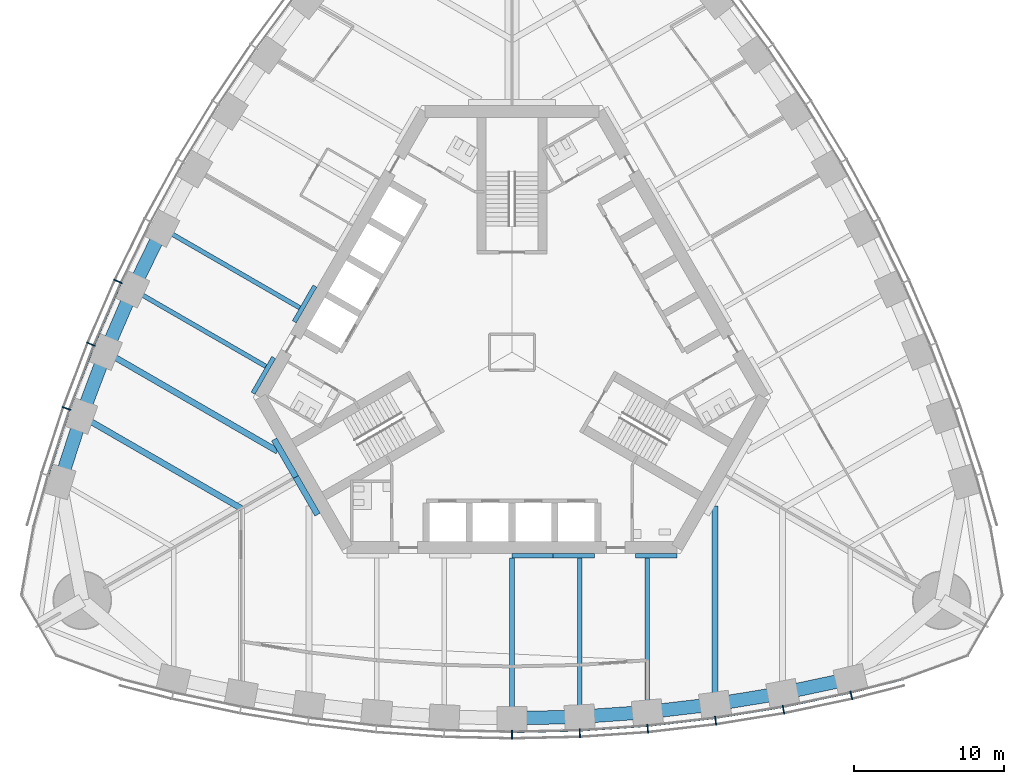
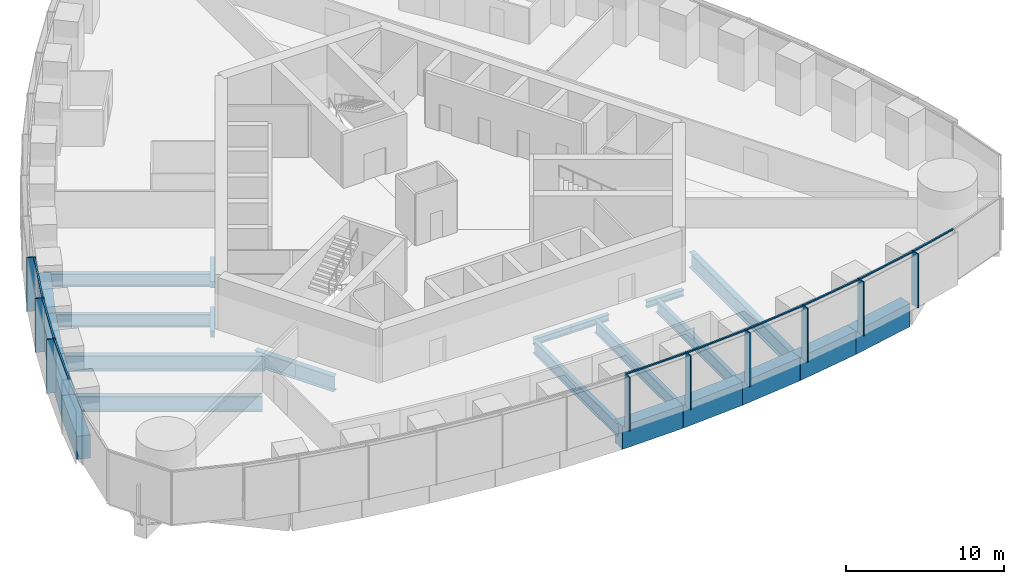
# One storey, part 3 of 18: 24 beams, 18 members, 2 elements without a shape of their own.
"""IFC4 building model written with IfcOpenShell, lengths in metres."""

from ifc_helpers import new_model, si_unit, direction, frame, origin, origin_2d, place, context, subcontext, project, spatial, rectangle, i_section, extrude, material, material_profile, profile_set, type_object, element, aggregate, save


model = new_model("IFC4")

# Units and contexts
model_context = context("Model", 3, precision=1e-05, world=origin(), true_north=direction((0.0, 1.0)))
body_context = subcontext(model_context, "Body", "Model", "MODEL_VIEW")
ifc_project = project(units=[si_unit("LENGTHUNIT", "METRE"), si_unit("AREAUNIT", "SQUARE_METRE"), si_unit("VOLUMEUNIT", "CUBIC_METRE"), si_unit("PLANEANGLEUNIT", "RADIAN"), si_unit("MASSUNIT", "GRAM", prefix="KILO")], contexts=[model_context])

# Site, building, storey
site_placement = place(None, origin())
site = spatial("IfcSite", under=ifc_project, at=site_placement, CompositionType="ELEMENT")
building_placement = place(site_placement, origin())
building = spatial("IfcBuilding", under=site, at=building_placement, Name="Trefoil Bronze Tower", CompositionType="ELEMENT")
storey_placement = place(building_placement, frame((0.0, 0.0, 198.10009765625)))
storey = spatial("IfcBuildingStorey", under=building, at=storey_placement, Name="L45", CompositionType="ELEMENT", Elevation=198.10009765625)

# Curtain wall, members
ifc_material_1 = material(Name="Tinted solar-control glass", Category="glass")
curtain_wall_type = type_object("IfcCurtainWallType", Name="Bronze office curtain wall", PredefinedType="USERDEFINED", material=ifc_material_1)
curtain_wall_1_placement = place(storey_placement, origin())
curtain_wall_1 = element("IfcCurtainWall", 1, at=curtain_wall_1_placement, inside=storey, type_object=curtain_wall_type, Name="CW-A L45 F1", ObjectType="CURTAIN WALL", PredefinedType="USERDEFINED")
ifc_material_2 = material(Name="Bronze-finish aluminium", Category="aluminium")
ifc_material_profile_1 = material_profile(ifc_material_2, rectangle(XDim=0.60009765625, YDim=0.080078125, at=origin_2d()), Name="CW-A mullion")
ifc_profile_set_1 = profile_set([ifc_material_profile_1], Name="Bronze-finish aluminium")
member_type_1 = type_object("IfcMemberType", Name="Bronze office curtain wall mullion", PredefinedType="MULLION", material=ifc_profile_set_1)
member_1_placement = place(storey_placement, frame((0.0, -25.45068359375, 0.0), z_axis=(0.0, 0.0, 1.0), x_axis=(0.0, 1.0, 0.0)))
member_1 = element("IfcMember", 2, at=member_1_placement, type_object=member_type_1, Name="CW-A L45 F1 mullion 7", PredefinedType="MULLION", context=body_context, shape_type="SweptSolid", body=[
    extrude(rectangle(XDim=0.60009765625, YDim=0.080078125, at=origin_2d()), origin(), (0.0, 0.0, 1.0), 4.179931640625),
])
member_2_placement = place(storey_placement, frame((4.513671875, -25.346923828125, 0.0), z_axis=(0.0, 0.0, 1.0), x_axis=(-0.045955542372, 0.998943485952, 0.0)))
member_2 = element("IfcMember", 3, at=member_2_placement, type_object=member_type_1, Name="CW-A L45 F1 mullion 8", PredefinedType="MULLION", context=body_context, shape_type="SweptSolid", body=[
    extrude(rectangle(XDim=0.60009765625, YDim=0.080078125, at=origin_2d()), origin(), (0.0, 0.0, 1.0), 4.179931640625),
])
member_3_placement = place(storey_placement, frame((9.027587890625, -25.03515625, 0.0), z_axis=(0.0, 0.0, 1.0), x_axis=(-0.091911396394, 0.995767189263, 0.0)))
member_3 = element("IfcMember", 4, at=member_3_placement, type_object=member_type_1, Name="CW-A L45 F1 mullion 9", PredefinedType="MULLION", context=body_context, shape_type="SweptSolid", body=[
    extrude(rectangle(XDim=0.60009765625, YDim=0.080078125, at=origin_2d()), origin(), (0.0, 0.0, 1.0), 4.179931640625),
])
member_4_placement = place(storey_placement, frame((13.541259765625, -24.51318359375, 0.0), z_axis=(0.0, 0.0, 1.0), x_axis=(-0.137867887204, 0.990450627582, 0.0)))
member_4 = element("IfcMember", 5, at=member_4_placement, type_object=member_type_1, Name="CW-A L45 F1 mullion 10", PredefinedType="MULLION", context=body_context, shape_type="SweptSolid", body=[
    extrude(rectangle(XDim=0.60009765625, YDim=0.080078125, at=origin_2d()), origin(), (0.0, 0.0, 1.0), 4.179931640625),
])
member_5_placement = place(storey_placement, frame((18.05517578125, -23.77783203125, 0.0), z_axis=(0.0, 0.0, 1.0), x_axis=(-0.183825368167, 0.982958917767, 0.0)))
member_5 = element("IfcMember", 6, at=member_5_placement, type_object=member_type_1, Name="CW-A L45 F1 mullion 11", PredefinedType="MULLION", context=body_context, shape_type="SweptSolid", body=[
    extrude(rectangle(XDim=0.60009765625, YDim=0.080078125, at=origin_2d()), origin(), (0.0, 0.0, 1.0), 4.179931640625),
])
member_6_placement = place(storey_placement, frame((22.568115234375, -22.82421875, 0.0), z_axis=(0.0, 0.0, 1.0), x_axis=(-0.227082662569, 0.973875487093, 0.0)))
member_6 = element("IfcMember", 7, at=member_6_placement, type_object=member_type_1, Name="CW-A L45 F1 mullion 12", PredefinedType="MULLION", context=body_context, shape_type="SweptSolid", body=[
    extrude(rectangle(XDim=0.60009765625, YDim=0.080078125, at=origin_2d()), origin(), (0.0, 0.0, 1.0), 4.179931640625),
])

curtain_wall_2_placement = place(storey_placement, origin())
curtain_wall_2 = element("IfcCurtainWall", 8, at=curtain_wall_2_placement, inside=storey, type_object=curtain_wall_type, Name="CW-A L45 F3", ObjectType="CURTAIN WALL", PredefinedType="USERDEFINED")
member_7_placement = place(storey_placement, frame((-26.19482421875, 4.699462890625, 0.0), z_axis=(0.0, 0.0, 1.0), x_axis=(0.908315380354, -0.418285990457, 0.0)))
member_7 = element("IfcMember", 9, at=member_7_placement, type_object=member_type_1, Name="CW-A L45 F3 mullion 9", PredefinedType="MULLION", context=body_context, shape_type="SweptSolid", body=[
    extrude(rectangle(XDim=0.60009765625, YDim=0.080078125, at=origin_2d()), origin(), (0.0, 0.0, 1.0), 4.179931640625),
])
member_8_placement = place(storey_placement, frame((-27.999755859375, 0.529541015625, 0.0), z_axis=(0.0, 0.0, 1.0), x_axis=(0.926689348282, -0.375828221106, 0.0)))
member_8 = element("IfcMember", 10, at=member_8_placement, type_object=member_type_1, Name="CW-A L45 F3 mullion 10", PredefinedType="MULLION", context=body_context, shape_type="SweptSolid", body=[
    extrude(rectangle(XDim=0.60009765625, YDim=0.080078125, at=origin_2d()), origin(), (0.0, 0.0, 1.0), 4.179931640625),
])
member_9_placement = place(storey_placement, frame((-29.619873046875, -3.747314453125, 0.0), z_axis=(0.0, 0.0, 1.0), x_axis=(0.943180077746, -0.332282020191, 0.0)))
member_9 = element("IfcMember", 11, at=member_9_placement, type_object=member_type_1, Name="CW-A L45 F3 mullion 11", PredefinedType="MULLION", context=body_context, shape_type="SweptSolid", body=[
    extrude(rectangle(XDim=0.60009765625, YDim=0.080078125, at=origin_2d()), origin(), (0.0, 0.0, 1.0), 4.179931640625),
])

# Member
ifc_material_3 = material(Name="Bronze-finish aluminium", Category="aluminium")
ifc_material_profile_2 = material_profile(ifc_material_3, rectangle(XDim=0.1201171875, YDim=0.10009765625, at=origin_2d()), Name="CW-A transom")
ifc_profile_set_2 = profile_set([ifc_material_profile_2], Name="Bronze-finish aluminium")
member_type_2 = type_object("IfcMemberType", Name="Bronze office curtain wall transom", PredefinedType="USERDEFINED", material=ifc_profile_set_2)
member_10_placement = place(storey_placement, frame((0.042236328125, -25.249755859375, 4.1298828125), z_axis=(0.999736131416, 0.022971015226, 0.0), x_axis=(-0.022971015226, 0.999736131416, 0.0)))
member_10 = element("IfcMember", 12, at=member_10_placement, type_object=member_type_2, Name="CW-A L45 F1 transom 7", ObjectType="TRANSOM", PredefinedType="USERDEFINED", context=body_context, shape_type="SweptSolid", body=[
    extrude(rectangle(XDim=0.1201171875, YDim=0.10009765625, at=origin_2d()), origin(), (0.0, 0.0, 1.0), 4.42138671875),
])

member_11_placement = place(storey_placement, frame((4.546875, -25.144287109375, 4.1298828125), z_axis=(0.997621320987, 0.06893257512, 0.0), x_axis=(-0.06893257512, 0.997621320987, 0.0)))
member_11 = element("IfcMember", 13, at=member_11_placement, type_object=member_type_2, Name="CW-A L45 F1 transom 8", ObjectType="TRANSOM", PredefinedType="USERDEFINED", context=body_context, shape_type="SweptSolid", body=[
    extrude(rectangle(XDim=0.1201171875, YDim=0.10009765625, at=origin_2d()), origin(), (0.0, 0.0, 1.0), 4.4306640625),
])

member_12_placement = place(storey_placement, frame((9.05126953125, -24.8310546875, 4.1298828125), z_axis=(0.993384885596, 0.114832352013, 0.0), x_axis=(-0.114832352013, 0.993384885596, 0.0)))
member_12 = element("IfcMember", 14, at=member_12_placement, type_object=member_type_2, Name="CW-A L45 F1 transom 9", ObjectType="TRANSOM", PredefinedType="USERDEFINED", context=body_context, shape_type="SweptSolid", body=[
    extrude(rectangle(XDim=0.1201171875, YDim=0.10009765625, at=origin_2d()), origin(), (0.0, 0.0, 1.0), 4.449951171875),
])

member_13_placement = place(storey_placement, frame((13.5556640625, -24.308349609375, 4.1298828125), z_axis=(0.986988367046, 0.160791676761, 0.0), x_axis=(-0.160791676761, 0.986988367046, 0.0)))
member_13 = element("IfcMember", 15, at=member_13_placement, type_object=member_type_2, Name="CW-A L45 F1 transom 10", ObjectType="TRANSOM", PredefinedType="USERDEFINED", context=body_context, shape_type="SweptSolid", body=[
    extrude(rectangle(XDim=0.1201171875, YDim=0.10009765625, at=origin_2d()), origin(), (0.0, 0.0, 1.0), 4.479248046875),
])

member_14_placement = place(storey_placement, frame((18.059814453125, -23.572509765625, 4.1298828125), z_axis=(0.978395325657, 0.20674280334, 0.0), x_axis=(-0.20674280334, 0.978395325657, 0.0)))
member_14 = element("IfcMember", 16, at=member_14_placement, type_object=member_type_2, Name="CW-A L45 F1 transom 11", ObjectType="TRANSOM", PredefinedType="USERDEFINED", context=body_context, shape_type="SweptSolid", body=[
    extrude(rectangle(XDim=0.1201171875, YDim=0.10009765625, at=origin_2d()), origin(), (0.0, 0.0, 1.0), 4.519287109375),
])

member_15_placement = place(storey_placement, frame((22.5634765625, -22.618896484375, 4.1298828125), z_axis=(0.968935220916, 0.247314653162, 0.0), x_axis=(-0.247314653162, 0.968935220916, 0.0)))
member_15 = element("IfcMember", 17, at=member_15_placement, type_object=member_type_2, Name="CW-A L45 F1 transom 12", ObjectType="TRANSOM", PredefinedType="USERDEFINED", context=body_context, shape_type="SweptSolid", body=[
    extrude(rectangle(XDim=0.1201171875, YDim=0.10009765625, at=origin_2d()), origin(), (0.0, 0.0, 1.0), 3.483642578125),
])

aggregate(curtain_wall_1, [member_1, member_2, member_3, member_4, member_5, member_6, member_10, member_11, member_12, member_13, member_14, member_15])

member_16_placement = place(storey_placement, frame((-26.030029296875, 4.576904296875, 4.1298828125), z_axis=(-0.397220936772, -0.917723012346, 0.0), x_axis=(0.917723012346, -0.397220936772, 0.0)))
member_16 = element("IfcMember", 18, at=member_16_placement, type_object=member_type_2, Name="CW-A L45 F3 transom 9", ObjectType="TRANSOM", PredefinedType="USERDEFINED", context=body_context, shape_type="SweptSolid", body=[
    extrude(rectangle(XDim=0.1201171875, YDim=0.10009765625, at=origin_2d()), origin(), (0.0, 0.0, 1.0), 4.449951171875),
])

member_17_placement = place(storey_placement, frame((-27.829345703125, 0.414794921875, 4.1298828125), z_axis=(-0.354263170896, -0.935145767112, 0.0), x_axis=(0.935145767112, -0.354263170896, 0.0)))
member_17 = element("IfcMember", 19, at=member_17_placement, type_object=member_type_2, Name="CW-A L45 F3 transom 10", ObjectType="TRANSOM", PredefinedType="USERDEFINED", context=body_context, shape_type="SweptSolid", body=[
    extrude(rectangle(XDim=0.1201171875, YDim=0.10009765625, at=origin_2d()), origin(), (0.0, 0.0, 1.0), 4.4794921875),
])

member_18_placement = place(storey_placement, frame((-29.4443359375, -3.85400390625, 4.1298828125), z_axis=(-0.310127806788, -0.950694874004, 0.0), x_axis=(0.950694874004, -0.310127806788, 0.0)))
member_18 = element("IfcMember", 20, at=member_18_placement, type_object=member_type_2, Name="CW-A L45 F3 transom 11", ObjectType="TRANSOM", PredefinedType="USERDEFINED", context=body_context, shape_type="SweptSolid", body=[
    extrude(rectangle(XDim=0.1201171875, YDim=0.10009765625, at=origin_2d()), origin(), (0.0, 0.0, 1.0), 4.51953125),
])

aggregate(curtain_wall_2, [member_7, member_8, member_9, member_16, member_17, member_18])

# Beams
ifc_material_4 = material(Name="Steel C355", Category="steel")
ifc_material_profile_3 = material_profile(ifc_material_4, i_section(OverallWidth=0.300048828125, OverallDepth=0.5, WebThickness=0.014404296875, FlangeThickness=0.028076171875, FilletRadius=0.027099609375, at=origin_2d()), Name="HEB 500")
ifc_profile_set_3 = profile_set([ifc_material_profile_3], Name="Steel C355")
beam_type_1 = type_object("IfcBeamType", Name="Core seat beam HEB 500", PredefinedType="BEAM", material=ifc_profile_set_3)
for number, where, z_axis, x_axis, name in (
    (21, (0.0, -13.550048828125, -0.4501953125), (1.0, 0.0, 0.0), (0.0, 1.0, 0.0), "Core seat beam F1/+0 L45"),
    (22, (2.742431640625, -13.550048828125, -0.4501953125), (1.0, 0.0, 0.0), (0.0, 1.0, 0.0), "Core seat beam F1/+1 L45"),
    (23, (8.227294921875, -13.550048828125, -0.4501953125), (1.0, 0.0, 0.0), (0.0, 1.0, 0.0), "Core seat beam F1/+2 L45"),
    (24, (-13.10595703125, 4.39990234375, -0.4501953125), (-0.499969057507, -0.866043267704, 0.0), (0.866043267704, -0.499969057507, 0.0), "Core seat beam F3/+1 L45"),
    (25, (-15.84814453125, -0.35009765625, -0.4501953125), (-0.500035825175, -0.866004719122, 0.0), (0.866004719122, -0.500035825175, 0.0), "Core seat beam F3/+2 L45"),
):
    element("IfcBeam", number, at=place(storey_placement, frame(where, z_axis=z_axis, x_axis=x_axis)), inside=storey, type_object=beam_type_1, Name=name, PredefinedType="BEAM", context=body_context, shape_type="SweptSolid", body=[
        extrude(i_section(OverallWidth=0.300048828125, OverallDepth=0.5, WebThickness=0.014404296875, FlangeThickness=0.028076171875, FilletRadius=0.027099609375, at=origin_2d()), origin(), (0.0, 0.0, 1.0), 2.742431640625),
    ])
ifc_material_5 = material(Name="Steel C355", Category="steel")
ifc_material_profile_4 = material_profile(ifc_material_5, i_section(OverallWidth=0.39990234375, OverallDepth=1.199951171875, WebThickness=0.02001953125, FlangeThickness=0.0400390625, FilletRadius=0.010009765625, at=origin_2d()), Name="WPG 1200")
ifc_profile_set_4 = profile_set([ifc_material_profile_4], Name="Steel C355")
beam_type_2 = type_object("IfcBeamType", Name="Core seat beam WPG 1200", PredefinedType="BEAM", material=ifc_profile_set_4)
for number, where, z_axis, x_axis, name in (
    (26, (-14.3759765625, -8.300048828125, -0.800048828125), (0.499995765644, -0.866027848477, 0.0), (0.866027848477, 0.499995765644, 0.0), "Core seat beam F1/-3 L45"),
    (27, (-15.8193359375, -5.800048828125, -0.800048828125), (0.499995765644, -0.866027848477, 0.0), (0.866027848477, 0.499995765644, 0.0), "Core seat beam F3/+3 L45"),
):
    element("IfcBeam", number, at=place(storey_placement, frame(where, z_axis=z_axis, x_axis=x_axis)), inside=storey, type_object=beam_type_2, Name=name, PredefinedType="BEAM", context=body_context, shape_type="SweptSolid", body=[
        extrude(i_section(OverallWidth=0.39990234375, OverallDepth=1.199951171875, WebThickness=0.02001953125, FlangeThickness=0.0400390625, FilletRadius=0.010009765625, at=origin_2d()), origin(), (0.0, 0.0, 1.0), 2.88671875),
    ])
ifc_material_6 = material(Name="Steel C355", Category="steel")
ifc_material_profile_5 = material_profile(ifc_material_6, i_section(OverallWidth=0.300048828125, OverallDepth=1.0, WebThickness=0.01904296875, FlangeThickness=0.035888671875, FilletRadius=0.030029296875, at=origin_2d()), Name="HEB 1000")
ifc_profile_set_5 = profile_set([ifc_material_profile_5], Name="Steel C355")
beam_type_3 = type_object("IfcBeamType", Name="Floor beam HEB 1000", PredefinedType="BEAM", material=ifc_profile_set_5)
beam_1_placement = place(storey_placement, frame((4.5, -24.246337890625, -0.7001953125), z_axis=(0.0, 1.0, 0.0), x_axis=(-1.0, 0.0, 0.0)))
element("IfcBeam", 28, at=beam_1_placement, inside=storey, type_object=beam_type_3, Name="Floor beam F1/+1 L45", PredefinedType="BEAM", context=body_context, shape_type="SweptSolid", body=[
    extrude(i_section(OverallWidth=0.300048828125, OverallDepth=1.0, WebThickness=0.01904296875, FlangeThickness=0.035888671875, FilletRadius=0.030029296875, at=origin_2d()), origin(), (0.0, 0.0, 1.0), 10.54638671875),
])
beam_2_placement = place(storey_placement, frame((9.0, -23.932861328125, -0.7001953125), z_axis=(0.0, 1.0, 0.0), x_axis=(-1.0, 0.0, 0.0)))
element("IfcBeam", 29, at=beam_2_placement, inside=storey, type_object=beam_type_3, Name="Floor beam F1/+2 L45", PredefinedType="BEAM", context=body_context, shape_type="SweptSolid", body=[
    extrude(i_section(OverallWidth=0.300048828125, OverallDepth=1.0, WebThickness=0.01904296875, FlangeThickness=0.035888671875, FilletRadius=0.030029296875, at=origin_2d()), origin(), (0.0, 0.0, 1.0), 10.23291015625),
])
beam_3_placement = place(storey_placement, frame((-23.248046875, 8.22607421875, -0.7001953125), z_axis=(0.866027918957, -0.499995643569, 0.0), x_axis=(0.499995643569, 0.866027918957, 0.0)))
element("IfcBeam", 30, at=beam_3_placement, inside=storey, type_object=beam_type_3, Name="Floor beam F3/+1 L45", PredefinedType="BEAM", context=body_context, shape_type="SweptSolid", body=[
    extrude(i_section(OverallWidth=0.300048828125, OverallDepth=1.0, WebThickness=0.01904296875, FlangeThickness=0.035888671875, FilletRadius=0.030029296875, at=origin_2d()), origin(), (0.0, 0.0, 1.0), 10.54638671875),
])
beam_4_placement = place(storey_placement, frame((-25.2265625, 4.17236328125, -0.7001953125), z_axis=(0.866017525653, -0.500013645076, 0.0), x_axis=(0.500013645076, 0.866017525653, 0.0)))
element("IfcBeam", 31, at=beam_4_placement, inside=storey, type_object=beam_type_3, Name="Floor beam F3/+2 L45", PredefinedType="BEAM", context=body_context, shape_type="SweptSolid", body=[
    extrude(i_section(OverallWidth=0.300048828125, OverallDepth=1.0, WebThickness=0.01904296875, FlangeThickness=0.035888671875, FilletRadius=0.030029296875, at=origin_2d()), origin(), (0.0, 0.0, 1.0), 10.233154296875),
])
ifc_material_7 = material(Name="Steel C355", Category="steel")
ifc_material_profile_6 = material_profile(ifc_material_7, i_section(OverallWidth=0.302001953125, OverallDepth=1.008056640625, WebThickness=0.02099609375, FlangeThickness=0.0400390625, FilletRadius=0.030029296875, at=origin_2d()), Name="HEM 1000")
ifc_profile_set_6 = profile_set([ifc_material_profile_6], Name="Steel C355")
beam_type_4 = type_object("IfcBeamType", Name="Floor beam HEM 1000", PredefinedType="BEAM", material=ifc_profile_set_6)
beam_5_placement = place(storey_placement, frame((0.0, -24.3505859375, -0.7041015625), z_axis=(0.0, 1.0, 0.0), x_axis=(-1.0, 0.0, 0.0)))
element("IfcBeam", 32, at=beam_5_placement, inside=storey, type_object=beam_type_4, Name="Floor beam F1/+0 L45", PredefinedType="BEAM", context=body_context, shape_type="SweptSolid", body=[
    extrude(i_section(OverallWidth=0.302001953125, OverallDepth=1.008056640625, WebThickness=0.02099609375, FlangeThickness=0.0400390625, FilletRadius=0.030029296875, at=origin_2d()), origin(), (0.0, 0.0, 1.0), 10.650634765625),
])
ifc_material_8 = material(Name="Steel C355", Category="steel")
ifc_material_profile_7 = material_profile(ifc_material_8, i_section(OverallWidth=0.39990234375, OverallDepth=1.199951171875, WebThickness=0.02001953125, FlangeThickness=0.0400390625, FilletRadius=0.010009765625, at=origin_2d()), Name="WPG 1200")
ifc_profile_set_7 = profile_set([ifc_material_profile_7], Name="Steel C355")
beam_type_5 = type_object("IfcBeamType", Name="Floor beam WPG 1200", PredefinedType="BEAM", material=ifc_profile_set_7)
for number, where, z_axis, x_axis, name in (
    (33, (13.5, -23.408447265625, -0.800048828125), (0.0, 1.0, 0.0), (-1.0, 0.0, 0.0), "Floor beam F1/+3 L45"),
    (34, (-27.022216796875, 0.012939453125, -0.800048828125), (0.866020385251, -0.500008692254, 0.0), (0.500008692254, 0.866020385251, 0.0), "Floor beam F3/+3 L45"),
):
    element("IfcBeam", number, at=place(storey_placement, frame(where, z_axis=z_axis, x_axis=x_axis)), inside=storey, type_object=beam_type_5, Name=name, PredefinedType="BEAM", context=body_context, shape_type="SweptSolid", body=[
        extrude(i_section(OverallWidth=0.39990234375, OverallDepth=1.199951171875, WebThickness=0.02001953125, FlangeThickness=0.0400390625, FilletRadius=0.010009765625, at=origin_2d()), origin(), (0.0, 0.0, 1.0), 13.191162109375),
    ])
beam_6_placement = place(storey_placement, frame((-28.632080078125, -4.25390625, -0.800048828125), z_axis=(0.866025635187, -0.499999599199, 0.0), x_axis=(0.499999599199, 0.866025635187, 0.0)))
element("IfcBeam", 35, at=beam_6_placement, inside=storey, type_object=beam_type_5, Name="Floor beam F3/+4 L45", PredefinedType="BEAM", context=body_context, shape_type="SweptSolid", body=[
    extrude(i_section(OverallWidth=0.39990234375, OverallDepth=1.199951171875, WebThickness=0.02001953125, FlangeThickness=0.0400390625, FilletRadius=0.010009765625, at=origin_2d()), origin(), (0.0, 0.0, 1.0), 12.27685546875),
])
ifc_material_9 = material(Name="Concrete B80", Category="concrete")
ifc_material_profile_8 = material_profile(ifc_material_9, rectangle(XDim=0.89990234375, YDim=1.800048828125, at=origin_2d()), Name="RC 900x1800")
ifc_profile_set_8 = profile_set([ifc_material_profile_8], Name="Concrete B80")
beam_type_6 = type_object("IfcBeamType", Name="Spandrel beam RC 900x1800", PredefinedType="SPANDREL", material=ifc_profile_set_8)
beam_7_placement = place(storey_placement, frame((0.0, -24.3505859375, -1.10009765625), z_axis=(0.999731770792, 0.023160018779, 0.0), x_axis=(-0.023160018779, 0.999731770792, 0.0)))
element("IfcBeam", 36, at=beam_7_placement, inside=storey, type_object=beam_type_6, Name="Spandrel F1.7 L45", PredefinedType="SPANDREL", context=body_context, shape_type="SweptSolid", body=[
    extrude(rectangle(XDim=0.89990234375, YDim=1.800048828125, at=origin_2d()), origin(), (0.0, 0.0, 1.0), 4.501220703125),
])
beam_8_placement = place(storey_placement, frame((4.5, -24.246337890625, -1.10009765625), z_axis=(0.997582435881, 0.069493047291, 0.0), x_axis=(-0.069493047291, 0.997582435881, 0.0)))
element("IfcBeam", 37, at=beam_8_placement, inside=storey, type_object=beam_type_6, Name="Spandrel F1.8 L45", PredefinedType="SPANDREL", context=body_context, shape_type="SweptSolid", body=[
    extrude(rectangle(XDim=0.89990234375, YDim=1.800048828125, at=origin_2d()), origin(), (0.0, 0.0, 1.0), 4.510986328125),
])
beam_9_placement = place(storey_placement, frame((9.0, -23.932861328125, -1.10009765625), z_axis=(0.993278017132, 0.115753102257, 0.0), x_axis=(-0.115753102257, 0.993278017132, 0.0)))
element("IfcBeam", 38, at=beam_9_placement, inside=storey, type_object=beam_type_6, Name="Spandrel F1.9 L45", PredefinedType="SPANDREL", context=body_context, shape_type="SweptSolid", body=[
    extrude(rectangle(XDim=0.89990234375, YDim=1.800048828125, at=origin_2d()), origin(), (0.0, 0.0, 1.0), 4.530517578125),
])
beam_10_placement = place(storey_placement, frame((13.5, -23.408447265625, -1.10009765625), z_axis=(0.986764681833, 0.162158757664, 0.0), x_axis=(-0.162158757664, 0.986764681833, 0.0)))
element("IfcBeam", 39, at=beam_10_placement, inside=storey, type_object=beam_type_6, Name="Spandrel F1.10 L45", PredefinedType="SPANDREL", context=body_context, shape_type="SweptSolid", body=[
    extrude(rectangle(XDim=0.89990234375, YDim=1.800048828125, at=origin_2d()), origin(), (0.0, 0.0, 1.0), 4.560302734375),
])
beam_11_placement = place(storey_placement, frame((18.0, -22.6689453125, -1.10009765625), z_axis=(0.978059483036, 0.208325820877, 0.0), x_axis=(-0.208325820877, 0.978059483036, 0.0)))
element("IfcBeam", 40, at=beam_11_placement, inside=storey, type_object=beam_type_6, Name="Spandrel F1.11 L45", PredefinedType="SPANDREL", context=body_context, shape_type="SweptSolid", body=[
    extrude(rectangle(XDim=0.89990234375, YDim=1.800048828125, at=origin_2d()), origin(), (0.0, 0.0, 1.0), 4.600830078125),
])
beam_12_placement = place(storey_placement, frame((-23.248046875, 8.22607421875, -1.10009765625), z_axis=(-0.438619830351, -0.898672712629, 0.0), x_axis=(0.898672712629, -0.438619830351, 0.0)))
element("IfcBeam", 41, at=beam_12_placement, inside=storey, type_object=beam_type_6, Name="Spandrel F3.8 L45", PredefinedType="SPANDREL", context=body_context, shape_type="SweptSolid", body=[
    extrude(rectangle(XDim=0.89990234375, YDim=1.800048828125, at=origin_2d()), origin(), (0.0, 0.0, 1.0), 4.5107421875),
])
beam_13_placement = place(storey_placement, frame((-25.2265625, 4.17236328125, -1.10009765625), z_axis=(-0.396350337164, -0.918099346602, 0.0), x_axis=(0.918099346602, -0.396350337164, 0.0)))
element("IfcBeam", 42, at=beam_13_placement, inside=storey, type_object=beam_type_6, Name="Spandrel F3.9 L45", PredefinedType="SPANDREL", context=body_context, shape_type="SweptSolid", body=[
    extrude(rectangle(XDim=0.89990234375, YDim=1.800048828125, at=origin_2d()), origin(), (0.0, 0.0, 1.0), 4.530517578125),
])
beam_14_placement = place(storey_placement, frame((-27.022216796875, 0.012939453125, -1.10009765625), z_axis=(-0.353005969632, -0.935621069346, 0.0), x_axis=(0.935621069346, -0.353005969632, 0.0)))
element("IfcBeam", 43, at=beam_14_placement, inside=storey, type_object=beam_type_6, Name="Spandrel F3.10 L45", PredefinedType="SPANDREL", context=body_context, shape_type="SweptSolid", body=[
    extrude(rectangle(XDim=0.89990234375, YDim=1.800048828125, at=origin_2d()), origin(), (0.0, 0.0, 1.0), 4.560546875),
])
beam_15_placement = place(storey_placement, frame((-28.632080078125, -4.25390625, -1.10009765625), z_axis=(-0.308608505504, -0.951189145402, 0.0), x_axis=(0.951189145402, -0.308608505504, 0.0)))
element("IfcBeam", 44, at=beam_15_placement, inside=storey, type_object=beam_type_6, Name="Spandrel F3.11 L45", PredefinedType="SPANDREL", context=body_context, shape_type="SweptSolid", body=[
    extrude(rectangle(XDim=0.89990234375, YDim=1.800048828125, at=origin_2d()), origin(), (0.0, 0.0, 1.0), 4.60107421875),
])

save(model, "model.ifc")
